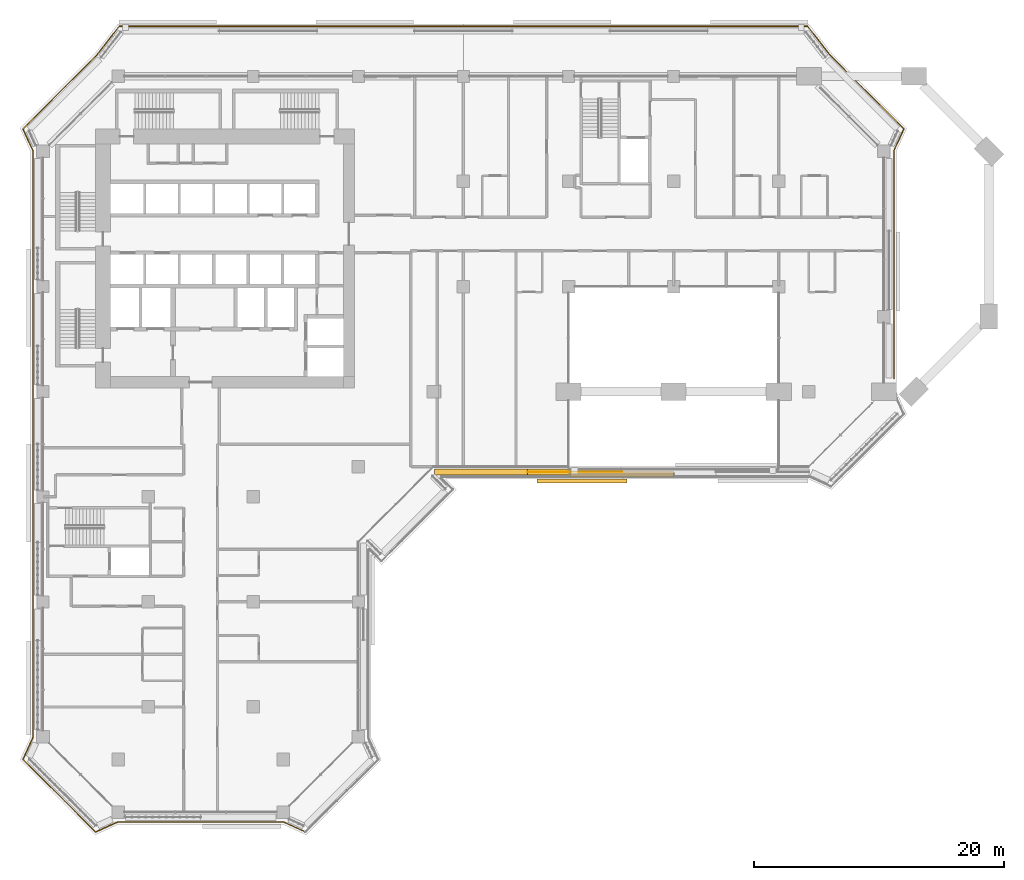
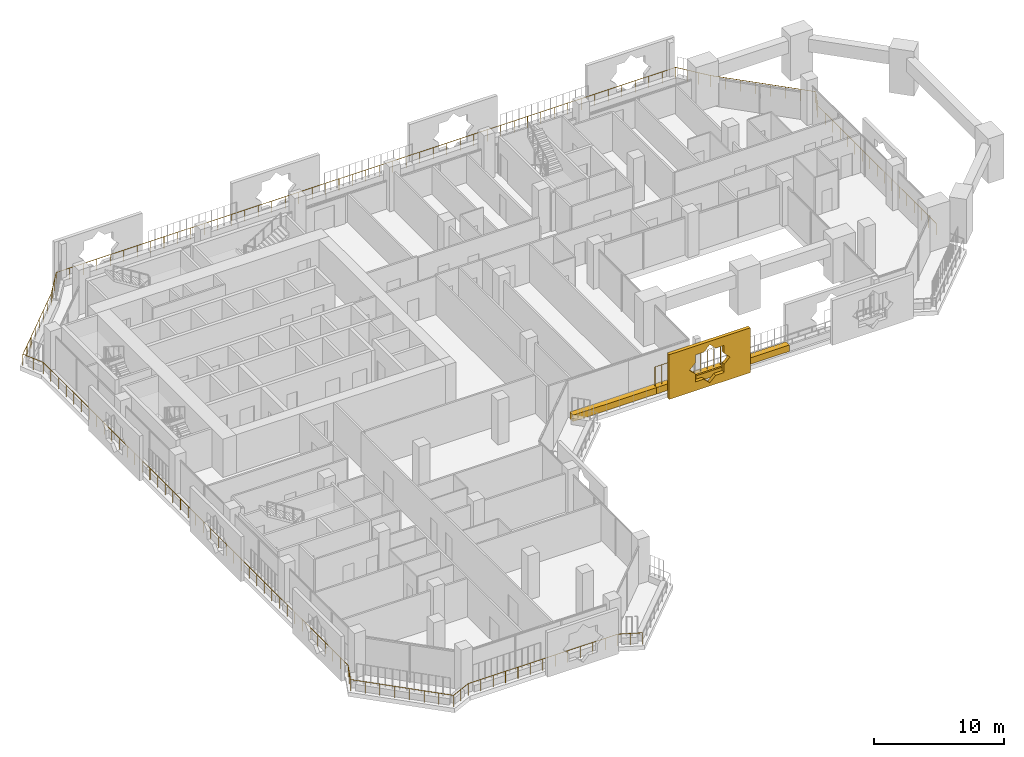
# One storey, part 20 of 24: 4 coverings, 2 railings.
"""IFC4 building model written with IfcOpenShell, lengths in metres."""

from ifc_helpers import new_model, si_unit, direction, frame, origin, origin_2d, place, context, subcontext, project, spatial, polyline, rectangle, circle, outline, extrude, material, material_profile, profile_set, type_object, element, save


model = new_model("IFC4")

# Units and contexts
model_context = context("Model", 3, precision=1e-05, world=origin(), true_north=direction((0.0, 1.0)))
body_context = subcontext(model_context, "Body", "Model", "MODEL_VIEW")
ifc_project = project(units=[si_unit("LENGTHUNIT", "METRE"), si_unit("AREAUNIT", "SQUARE_METRE"), si_unit("VOLUMEUNIT", "CUBIC_METRE"), si_unit("PLANEANGLEUNIT", "RADIAN"), si_unit("MASSUNIT", "GRAM", prefix="KILO")], contexts=[model_context])

# Site, building, storey
site_placement = place(None, origin())
site = spatial("IfcSite", under=ifc_project, at=site_placement, CompositionType="ELEMENT")
building_placement = place(site_placement, origin())
building = spatial("IfcBuilding", under=site, at=building_placement, Name="Kawkab Arch Medical Tower", CompositionType="ELEMENT")
storey_placement = place(building_placement, frame((0.0, 0.0, 162.60009765625)))
storey = spatial("IfcBuildingStorey", under=building, at=storey_placement, Name="L37", CompositionType="ELEMENT", Elevation=162.60009765625)

# Railing
ifc_material_1 = material(Name="Bronze anodised aluminium guard", Category="aluminium")
railing_type_1 = type_object("IfcRailingType", Name="Loggia and terrace guard 1100", PredefinedType="GUARDRAIL", material=ifc_material_1)
railing_1_placement = place(storey_placement, frame((20.9951171875, -60.39794921875, 0.0)))
element("IfcRailing", 1, at=railing_1_placement, inside=storey, type_object=railing_type_1, Name="Guard L37.LOG-01.2.1", PredefinedType="GUARDRAIL", context=body_context, shape_type="SweptSolid", body=[
    extrude(circle(Radius=0.02392578125, at=origin_2d()), frame((0.0, 0.0, 1.076171875), z_axis=(-0.910092688388, 0.414404752076, 0.0), x_axis=(-0.414404752076, -0.910092688388, 0.0)), (0.0, 0.0, 1.0), 1.92529296875),
    extrude(circle(Radius=0.02392578125, at=origin_2d()), frame((-1.752197265625, 0.7978515625, 1.076171875), z_axis=(-1.0, 0.0, 0.0), x_axis=(0.0, -1.0, 0.0)), (0.0, 0.0, 1.0), 13.285888671875),
    extrude(circle(Radius=0.02392578125, at=origin_2d()), frame((-15.0380859375, 0.7978515625, 1.076171875), z_axis=(-0.910070907914, -0.414452581809, 0.0), x_axis=(0.414452581809, -0.910070907914, 0.0)), (0.0, 0.0, 1.0), 1.925048828125),
    extrude(circle(Radius=0.02392578125, at=origin_2d()), frame((-16.7900390625, 0.0, 1.076171875), z_axis=(-0.707106781187, 0.707106781187, 0.0), x_axis=(-0.707106781187, -0.707106781187, 0.0)), (0.0, 0.0, 1.0), 8.20654296875),
    extrude(circle(Radius=0.02392578125, at=origin_2d()), frame((-22.593017578125, 5.802978515625, 1.076171875), z_axis=(0.414452581809, 0.910070907914, 0.0), x_axis=(-0.910070907914, 0.414452581809, 0.0)), (0.0, 0.0, 1.0), 1.925048828125),
    extrude(circle(Radius=0.02392578125, at=origin_2d()), frame((-21.795166015625, 7.554931640625, 1.076171875), z_axis=(0.0, 1.0, 0.0), x_axis=(-1.0, 0.0, 0.0)), (0.0, 0.0, 1.0), 46.885986328125),
    extrude(circle(Radius=0.02392578125, at=origin_2d()), frame((-21.795166015625, 54.44091796875, 1.076171875), z_axis=(-0.414452581809, 0.910070907914, 0.0), x_axis=(-0.910070907914, -0.414452581809, 0.0)), (0.0, 0.0, 1.0), 1.925048828125),
    extrude(circle(Radius=0.02392578125, at=origin_2d()), frame((-22.593017578125, 56.19287109375, 1.076171875), z_axis=(0.707092175918, 0.707121386154, 0.0), x_axis=(-0.707121386154, 0.707092175918, 0.0)), (0.0, 0.0, 1.0), 8.358154296875),
    extrude(circle(Radius=0.02392578125, at=origin_2d()), frame((-16.68310546875, 62.10302734375, 1.076171875), z_axis=(0.614144026922, 0.789193964876, 0.0), x_axis=(-0.789193964876, 0.614144026922, 0.0)), (0.0, 0.0, 1.0), 2.907958984375),
    extrude(circle(Radius=0.02392578125, at=origin_2d()), frame((-14.897216796875, 64.39794921875, 1.076171875), z_axis=(1.0, 0.0, 0.0), x_axis=(0.0, 1.0, 0.0)), (0.0, 0.0, 1.0), 55.004150390625),
    extrude(circle(Radius=0.02392578125, at=origin_2d()), frame((40.10693359375, 64.39794921875, 1.076171875), z_axis=(0.614144026922, -0.789193964876, 0.0), x_axis=(0.789193964876, 0.614144026922, 0.0)), (0.0, 0.0, 1.0), 2.907958984375),
    extrude(circle(Radius=0.02392578125, at=origin_2d()), frame((41.892822265625, 62.10302734375, 1.076171875), z_axis=(0.707106781187, -0.707106781187, 0.0), x_axis=(0.707106781187, 0.707106781187, 0.0)), (0.0, 0.0, 1.0), 8.358154296875),
    extrude(circle(Radius=0.02392578125, at=origin_2d()), frame((47.802978515625, 56.19287109375, 1.076171875), z_axis=(-0.414557610759, -0.910023069687, 0.0), x_axis=(0.910023069687, -0.414557610759, 0.0)), (0.0, 0.0, 1.0), 1.92529296875),
    extrude(circle(Radius=0.02392578125, at=origin_2d()), frame((47.0048828125, 54.44091796875, 1.076171875), z_axis=(0.0, -1.0, 0.0), x_axis=(1.0, 0.0, 0.0)), (0.0, 0.0, 1.0), 18.212890625),
    extrude(circle(Radius=0.02099609375, at=origin_2d()), origin(), (0.0, 0.0, 1.0), 1.052001953125),
    extrude(circle(Radius=0.02099609375, at=origin_2d()), frame((-0.8759765625, 0.39892578125, 0.0)), (0.0, 0.0, 1.0), 1.052001953125),
    extrude(circle(Radius=0.02099609375, at=origin_2d()), frame((-1.752197265625, 0.7978515625, 0.0)), (0.0, 0.0, 1.0), 1.052001953125),
    extrude(circle(Radius=0.02099609375, at=origin_2d()), frame((-2.859375, 0.7978515625, 0.0)), (0.0, 0.0, 1.0), 1.052001953125),
    extrude(circle(Radius=0.02099609375, at=origin_2d()), frame((-3.966552734375, 0.7978515625, 0.0)), (0.0, 0.0, 1.0), 1.052001953125),
    extrude(circle(Radius=0.02099609375, at=origin_2d()), frame((-5.07373046875, 0.7978515625, 0.0)), (0.0, 0.0, 1.0), 1.052001953125),
    extrude(circle(Radius=0.02099609375, at=origin_2d()), frame((-6.180908203125, 0.7978515625, 0.0)), (0.0, 0.0, 1.0), 1.052001953125),
    extrude(circle(Radius=0.02099609375, at=origin_2d()), frame((-7.2880859375, 0.7978515625, 0.0)), (0.0, 0.0, 1.0), 1.052001953125),
    extrude(circle(Radius=0.02099609375, at=origin_2d()), frame((-8.39501953125, 0.7978515625, 0.0)), (0.0, 0.0, 1.0), 1.052001953125),
    extrude(circle(Radius=0.02099609375, at=origin_2d()), frame((-9.502197265625, 0.7978515625, 0.0)), (0.0, 0.0, 1.0), 1.052001953125),
    extrude(circle(Radius=0.02099609375, at=origin_2d()), frame((-10.609375, 0.7978515625, 0.0)), (0.0, 0.0, 1.0), 1.052001953125),
    extrude(circle(Radius=0.02099609375, at=origin_2d()), frame((-11.716552734375, 0.7978515625, 0.0)), (0.0, 0.0, 1.0), 1.052001953125),
    extrude(circle(Radius=0.02099609375, at=origin_2d()), frame((-12.82373046875, 0.7978515625, 0.0)), (0.0, 0.0, 1.0), 1.052001953125),
    extrude(circle(Radius=0.02099609375, at=origin_2d()), frame((-13.930908203125, 0.7978515625, 0.0)), (0.0, 0.0, 1.0), 1.052001953125),
    extrude(circle(Radius=0.02099609375, at=origin_2d()), frame((-15.0380859375, 0.7978515625, 0.0)), (0.0, 0.0, 1.0), 1.052001953125),
    extrude(circle(Radius=0.02099609375, at=origin_2d()), frame((-15.9140625, 0.39892578125, 0.0)), (0.0, 0.0, 1.0), 1.052001953125),
    extrude(circle(Radius=0.02099609375, at=origin_2d()), frame((-16.7900390625, 0.0, 0.0)), (0.0, 0.0, 1.0), 1.052001953125),
    extrude(circle(Radius=0.02099609375, at=origin_2d()), frame((-17.619140625, 0.8291015625, 0.0)), (0.0, 0.0, 1.0), 1.052001953125),
    extrude(circle(Radius=0.02099609375, at=origin_2d()), frame((-18.447998046875, 1.657958984375, 0.0)), (0.0, 0.0, 1.0), 1.052001953125),
    extrude(circle(Radius=0.02099609375, at=origin_2d()), frame((-19.277099609375, 2.487060546875, 0.0)), (0.0, 0.0, 1.0), 1.052001953125),
    extrude(circle(Radius=0.02099609375, at=origin_2d()), frame((-20.10595703125, 3.31591796875, 0.0)), (0.0, 0.0, 1.0), 1.052001953125),
    extrude(circle(Radius=0.02099609375, at=origin_2d()), frame((-20.93505859375, 4.14501953125, 0.0)), (0.0, 0.0, 1.0), 1.052001953125),
    extrude(circle(Radius=0.02099609375, at=origin_2d()), frame((-21.763916015625, 4.973876953125, 0.0)), (0.0, 0.0, 1.0), 1.052001953125),
    extrude(circle(Radius=0.02099609375, at=origin_2d()), frame((-22.593017578125, 5.802978515625, 0.0)), (0.0, 0.0, 1.0), 1.052001953125),
    extrude(circle(Radius=0.02099609375, at=origin_2d()), frame((-22.194091796875, 6.678955078125, 0.0)), (0.0, 0.0, 1.0), 1.052001953125),
    extrude(circle(Radius=0.02099609375, at=origin_2d()), frame((-21.795166015625, 7.554931640625, 0.0)), (0.0, 0.0, 1.0), 1.052001953125),
    extrude(circle(Radius=0.02099609375, at=origin_2d()), frame((-21.795166015625, 8.72705078125, 0.0)), (0.0, 0.0, 1.0), 1.052001953125),
    extrude(circle(Radius=0.02099609375, at=origin_2d()), frame((-21.795166015625, 9.899169921875, 0.0)), (0.0, 0.0, 1.0), 1.052001953125),
    extrude(circle(Radius=0.02099609375, at=origin_2d()), frame((-21.795166015625, 11.0712890625, 0.0)), (0.0, 0.0, 1.0), 1.052001953125),
    extrude(circle(Radius=0.02099609375, at=origin_2d()), frame((-21.795166015625, 12.24365234375, 0.0)), (0.0, 0.0, 1.0), 1.052001953125),
    extrude(circle(Radius=0.02099609375, at=origin_2d()), frame((-21.795166015625, 13.415771484375, 0.0)), (0.0, 0.0, 1.0), 1.052001953125),
    extrude(circle(Radius=0.02099609375, at=origin_2d()), frame((-21.795166015625, 14.587890625, 0.0)), (0.0, 0.0, 1.0), 1.052001953125),
    extrude(circle(Radius=0.02099609375, at=origin_2d()), frame((-21.795166015625, 15.760009765625, 0.0)), (0.0, 0.0, 1.0), 1.052001953125),
    extrude(circle(Radius=0.02099609375, at=origin_2d()), frame((-21.795166015625, 16.93212890625, 0.0)), (0.0, 0.0, 1.0), 1.052001953125),
    extrude(circle(Radius=0.02099609375, at=origin_2d()), frame((-21.795166015625, 18.104248046875, 0.0)), (0.0, 0.0, 1.0), 1.052001953125),
    extrude(circle(Radius=0.02099609375, at=origin_2d()), frame((-21.795166015625, 19.2763671875, 0.0)), (0.0, 0.0, 1.0), 1.052001953125),
    extrude(circle(Radius=0.02099609375, at=origin_2d()), frame((-21.795166015625, 20.448486328125, 0.0)), (0.0, 0.0, 1.0), 1.052001953125),
    extrude(circle(Radius=0.02099609375, at=origin_2d()), frame((-21.795166015625, 21.62060546875, 0.0)), (0.0, 0.0, 1.0), 1.052001953125),
    extrude(circle(Radius=0.02099609375, at=origin_2d()), frame((-21.795166015625, 22.79296875, 0.0)), (0.0, 0.0, 1.0), 1.052001953125),
    extrude(circle(Radius=0.02099609375, at=origin_2d()), frame((-21.795166015625, 23.965087890625, 0.0)), (0.0, 0.0, 1.0), 1.052001953125),
    extrude(circle(Radius=0.02099609375, at=origin_2d()), frame((-21.795166015625, 25.13720703125, 0.0)), (0.0, 0.0, 1.0), 1.052001953125),
    extrude(circle(Radius=0.02099609375, at=origin_2d()), frame((-21.795166015625, 26.309326171875, 0.0)), (0.0, 0.0, 1.0), 1.052001953125),
    extrude(circle(Radius=0.02099609375, at=origin_2d()), frame((-21.795166015625, 27.4814453125, 0.0)), (0.0, 0.0, 1.0), 1.052001953125),
    extrude(circle(Radius=0.02099609375, at=origin_2d()), frame((-21.795166015625, 28.653564453125, 0.0)), (0.0, 0.0, 1.0), 1.052001953125),
    extrude(circle(Radius=0.02099609375, at=origin_2d()), frame((-21.795166015625, 29.82568359375, 0.0)), (0.0, 0.0, 1.0), 1.052001953125),
    extrude(circle(Radius=0.02099609375, at=origin_2d()), frame((-21.795166015625, 30.998046875, 0.0)), (0.0, 0.0, 1.0), 1.052001953125),
    extrude(circle(Radius=0.02099609375, at=origin_2d()), frame((-21.795166015625, 32.170166015625, 0.0)), (0.0, 0.0, 1.0), 1.052001953125),
    extrude(circle(Radius=0.02099609375, at=origin_2d()), frame((-21.795166015625, 33.34228515625, 0.0)), (0.0, 0.0, 1.0), 1.052001953125),
    extrude(circle(Radius=0.02099609375, at=origin_2d()), frame((-21.795166015625, 34.514404296875, 0.0)), (0.0, 0.0, 1.0), 1.052001953125),
    extrude(circle(Radius=0.02099609375, at=origin_2d()), frame((-21.795166015625, 35.6865234375, 0.0)), (0.0, 0.0, 1.0), 1.052001953125),
    extrude(circle(Radius=0.02099609375, at=origin_2d()), frame((-21.795166015625, 36.858642578125, 0.0)), (0.0, 0.0, 1.0), 1.052001953125),
    extrude(circle(Radius=0.02099609375, at=origin_2d()), frame((-21.795166015625, 38.03076171875, 0.0)), (0.0, 0.0, 1.0), 1.052001953125),
    extrude(circle(Radius=0.02099609375, at=origin_2d()), frame((-21.795166015625, 39.202880859375, 0.0)), (0.0, 0.0, 1.0), 1.052001953125),
    extrude(circle(Radius=0.02099609375, at=origin_2d()), frame((-21.795166015625, 40.375, 0.0)), (0.0, 0.0, 1.0), 1.052001953125),
    extrude(circle(Radius=0.02099609375, at=origin_2d()), frame((-21.795166015625, 41.54736328125, 0.0)), (0.0, 0.0, 1.0), 1.052001953125),
    extrude(circle(Radius=0.02099609375, at=origin_2d()), frame((-21.795166015625, 42.719482421875, 0.0)), (0.0, 0.0, 1.0), 1.052001953125),
    extrude(circle(Radius=0.02099609375, at=origin_2d()), frame((-21.795166015625, 43.8916015625, 0.0)), (0.0, 0.0, 1.0), 1.052001953125),
    extrude(circle(Radius=0.02099609375, at=origin_2d()), frame((-21.795166015625, 45.063720703125, 0.0)), (0.0, 0.0, 1.0), 1.052001953125),
    extrude(circle(Radius=0.02099609375, at=origin_2d()), frame((-21.795166015625, 46.23583984375, 0.0)), (0.0, 0.0, 1.0), 1.052001953125),
    extrude(circle(Radius=0.02099609375, at=origin_2d()), frame((-21.795166015625, 47.407958984375, 0.0)), (0.0, 0.0, 1.0), 1.052001953125),
    extrude(circle(Radius=0.02099609375, at=origin_2d()), frame((-21.795166015625, 48.580078125, 0.0)), (0.0, 0.0, 1.0), 1.052001953125),
    extrude(circle(Radius=0.02099609375, at=origin_2d()), frame((-21.795166015625, 49.75244140625, 0.0)), (0.0, 0.0, 1.0), 1.052001953125),
    extrude(circle(Radius=0.02099609375, at=origin_2d()), frame((-21.795166015625, 50.924560546875, 0.0)), (0.0, 0.0, 1.0), 1.052001953125),
    extrude(circle(Radius=0.02099609375, at=origin_2d()), frame((-21.795166015625, 52.0966796875, 0.0)), (0.0, 0.0, 1.0), 1.052001953125),
    extrude(circle(Radius=0.02099609375, at=origin_2d()), frame((-21.795166015625, 53.268798828125, 0.0)), (0.0, 0.0, 1.0), 1.052001953125),
    extrude(circle(Radius=0.02099609375, at=origin_2d()), frame((-21.795166015625, 54.44091796875, 0.0)), (0.0, 0.0, 1.0), 1.052001953125),
    extrude(circle(Radius=0.02099609375, at=origin_2d()), frame((-22.194091796875, 55.31689453125, 0.0)), (0.0, 0.0, 1.0), 1.052001953125),
    extrude(circle(Radius=0.02099609375, at=origin_2d()), frame((-22.593017578125, 56.19287109375, 0.0)), (0.0, 0.0, 1.0), 1.052001953125),
    extrude(circle(Radius=0.02099609375, at=origin_2d()), frame((-21.748779296875, 57.037109375, 0.0)), (0.0, 0.0, 1.0), 1.052001953125),
    extrude(circle(Radius=0.02099609375, at=origin_2d()), frame((-20.904541015625, 57.881591796875, 0.0)), (0.0, 0.0, 1.0), 1.052001953125),
    extrude(circle(Radius=0.02099609375, at=origin_2d()), frame((-20.060302734375, 58.725830078125, 0.0)), (0.0, 0.0, 1.0), 1.052001953125),
    extrude(circle(Radius=0.02099609375, at=origin_2d()), frame((-19.2158203125, 59.570068359375, 0.0)), (0.0, 0.0, 1.0), 1.052001953125),
    extrude(circle(Radius=0.02099609375, at=origin_2d()), frame((-18.37158203125, 60.414306640625, 0.0)), (0.0, 0.0, 1.0), 1.052001953125),
    extrude(circle(Radius=0.02099609375, at=origin_2d()), frame((-17.52734375, 61.2587890625, 0.0)), (0.0, 0.0, 1.0), 1.052001953125),
    extrude(circle(Radius=0.02099609375, at=origin_2d()), frame((-16.68310546875, 62.10302734375, 0.0)), (0.0, 0.0, 1.0), 1.052001953125),
    extrude(circle(Radius=0.02099609375, at=origin_2d()), frame((-16.087890625, 62.867919921875, 0.0)), (0.0, 0.0, 1.0), 1.052001953125),
    extrude(circle(Radius=0.02099609375, at=origin_2d()), frame((-15.492431640625, 63.633056640625, 0.0)), (0.0, 0.0, 1.0), 1.052001953125),
    extrude(circle(Radius=0.02099609375, at=origin_2d()), frame((-14.897216796875, 64.39794921875, 0.0)), (0.0, 0.0, 1.0), 1.052001953125),
    extrude(circle(Radius=0.02099609375, at=origin_2d()), frame((-13.701416015625, 64.39794921875, 0.0)), (0.0, 0.0, 1.0), 1.052001953125),
    extrude(circle(Radius=0.02099609375, at=origin_2d()), frame((-12.505615234375, 64.39794921875, 0.0)), (0.0, 0.0, 1.0), 1.052001953125),
    extrude(circle(Radius=0.02099609375, at=origin_2d()), frame((-11.31005859375, 64.39794921875, 0.0)), (0.0, 0.0, 1.0), 1.052001953125),
    extrude(circle(Radius=0.02099609375, at=origin_2d()), frame((-10.1142578125, 64.39794921875, 0.0)), (0.0, 0.0, 1.0), 1.052001953125),
    extrude(circle(Radius=0.02099609375, at=origin_2d()), frame((-8.91845703125, 64.39794921875, 0.0)), (0.0, 0.0, 1.0), 1.052001953125),
    extrude(circle(Radius=0.02099609375, at=origin_2d()), frame((-7.72265625, 64.39794921875, 0.0)), (0.0, 0.0, 1.0), 1.052001953125),
    extrude(circle(Radius=0.02099609375, at=origin_2d()), frame((-6.527099609375, 64.39794921875, 0.0)), (0.0, 0.0, 1.0), 1.052001953125),
    extrude(circle(Radius=0.02099609375, at=origin_2d()), frame((-5.331298828125, 64.39794921875, 0.0)), (0.0, 0.0, 1.0), 1.052001953125),
    extrude(circle(Radius=0.02099609375, at=origin_2d()), frame((-4.135498046875, 64.39794921875, 0.0)), (0.0, 0.0, 1.0), 1.052001953125),
    extrude(circle(Radius=0.02099609375, at=origin_2d()), frame((-2.939697265625, 64.39794921875, 0.0)), (0.0, 0.0, 1.0), 1.052001953125),
    extrude(circle(Radius=0.02099609375, at=origin_2d()), frame((-1.744140625, 64.39794921875, 0.0)), (0.0, 0.0, 1.0), 1.052001953125),
    extrude(circle(Radius=0.02099609375, at=origin_2d()), frame((-0.54833984375, 64.39794921875, 0.0)), (0.0, 0.0, 1.0), 1.052001953125),
    extrude(circle(Radius=0.02099609375, at=origin_2d()), frame((0.6474609375, 64.39794921875, 0.0)), (0.0, 0.0, 1.0), 1.052001953125),
    extrude(circle(Radius=0.02099609375, at=origin_2d()), frame((1.84326171875, 64.39794921875, 0.0)), (0.0, 0.0, 1.0), 1.052001953125),
    extrude(circle(Radius=0.02099609375, at=origin_2d()), frame((3.038818359375, 64.39794921875, 0.0)), (0.0, 0.0, 1.0), 1.052001953125),
    extrude(circle(Radius=0.02099609375, at=origin_2d()), frame((4.234619140625, 64.39794921875, 0.0)), (0.0, 0.0, 1.0), 1.052001953125),
    extrude(circle(Radius=0.02099609375, at=origin_2d()), frame((5.430419921875, 64.39794921875, 0.0)), (0.0, 0.0, 1.0), 1.052001953125),
    extrude(circle(Radius=0.02099609375, at=origin_2d()), frame((6.626220703125, 64.39794921875, 0.0)), (0.0, 0.0, 1.0), 1.052001953125),
    extrude(circle(Radius=0.02099609375, at=origin_2d()), frame((7.82177734375, 64.39794921875, 0.0)), (0.0, 0.0, 1.0), 1.052001953125),
    extrude(circle(Radius=0.02099609375, at=origin_2d()), frame((9.017578125, 64.39794921875, 0.0)), (0.0, 0.0, 1.0), 1.052001953125),
    extrude(circle(Radius=0.02099609375, at=origin_2d()), frame((10.21337890625, 64.39794921875, 0.0)), (0.0, 0.0, 1.0), 1.052001953125),
    extrude(circle(Radius=0.02099609375, at=origin_2d()), frame((11.4091796875, 64.39794921875, 0.0)), (0.0, 0.0, 1.0), 1.052001953125),
    extrude(circle(Radius=0.02099609375, at=origin_2d()), frame((12.60498046875, 64.39794921875, 0.0)), (0.0, 0.0, 1.0), 1.052001953125),
    extrude(circle(Radius=0.02099609375, at=origin_2d()), frame((13.800537109375, 64.39794921875, 0.0)), (0.0, 0.0, 1.0), 1.052001953125),
    extrude(circle(Radius=0.02099609375, at=origin_2d()), frame((14.996337890625, 64.39794921875, 0.0)), (0.0, 0.0, 1.0), 1.052001953125),
    extrude(circle(Radius=0.02099609375, at=origin_2d()), frame((16.192138671875, 64.39794921875, 0.0)), (0.0, 0.0, 1.0), 1.052001953125),
    extrude(circle(Radius=0.02099609375, at=origin_2d()), frame((17.387939453125, 64.39794921875, 0.0)), (0.0, 0.0, 1.0), 1.052001953125),
    extrude(circle(Radius=0.02099609375, at=origin_2d()), frame((18.58349609375, 64.39794921875, 0.0)), (0.0, 0.0, 1.0), 1.052001953125),
    extrude(circle(Radius=0.02099609375, at=origin_2d()), frame((19.779296875, 64.39794921875, 0.0)), (0.0, 0.0, 1.0), 1.052001953125),
    extrude(circle(Radius=0.02099609375, at=origin_2d()), frame((20.97509765625, 64.39794921875, 0.0)), (0.0, 0.0, 1.0), 1.052001953125),
    extrude(circle(Radius=0.02099609375, at=origin_2d()), frame((22.1708984375, 64.39794921875, 0.0)), (0.0, 0.0, 1.0), 1.052001953125),
    extrude(circle(Radius=0.02099609375, at=origin_2d()), frame((23.366455078125, 64.39794921875, 0.0)), (0.0, 0.0, 1.0), 1.052001953125),
    extrude(circle(Radius=0.02099609375, at=origin_2d()), frame((24.562255859375, 64.39794921875, 0.0)), (0.0, 0.0, 1.0), 1.052001953125),
    extrude(circle(Radius=0.02099609375, at=origin_2d()), frame((25.758056640625, 64.39794921875, 0.0)), (0.0, 0.0, 1.0), 1.052001953125),
    extrude(circle(Radius=0.02099609375, at=origin_2d()), frame((26.953857421875, 64.39794921875, 0.0)), (0.0, 0.0, 1.0), 1.052001953125),
    extrude(circle(Radius=0.02099609375, at=origin_2d()), frame((28.1494140625, 64.39794921875, 0.0)), (0.0, 0.0, 1.0), 1.052001953125),
    extrude(circle(Radius=0.02099609375, at=origin_2d()), frame((29.34521484375, 64.39794921875, 0.0)), (0.0, 0.0, 1.0), 1.052001953125),
    extrude(circle(Radius=0.02099609375, at=origin_2d()), frame((30.541015625, 64.39794921875, 0.0)), (0.0, 0.0, 1.0), 1.052001953125),
    extrude(circle(Radius=0.02099609375, at=origin_2d()), frame((31.73681640625, 64.39794921875, 0.0)), (0.0, 0.0, 1.0), 1.052001953125),
    extrude(circle(Radius=0.02099609375, at=origin_2d()), frame((32.932373046875, 64.39794921875, 0.0)), (0.0, 0.0, 1.0), 1.052001953125),
    extrude(circle(Radius=0.02099609375, at=origin_2d()), frame((34.128173828125, 64.39794921875, 0.0)), (0.0, 0.0, 1.0), 1.052001953125),
    extrude(circle(Radius=0.02099609375, at=origin_2d()), frame((35.323974609375, 64.39794921875, 0.0)), (0.0, 0.0, 1.0), 1.052001953125),
    extrude(circle(Radius=0.02099609375, at=origin_2d()), frame((36.519775390625, 64.39794921875, 0.0)), (0.0, 0.0, 1.0), 1.052001953125),
    extrude(circle(Radius=0.02099609375, at=origin_2d()), frame((37.71533203125, 64.39794921875, 0.0)), (0.0, 0.0, 1.0), 1.052001953125),
    extrude(circle(Radius=0.02099609375, at=origin_2d()), frame((38.9111328125, 64.39794921875, 0.0)), (0.0, 0.0, 1.0), 1.052001953125),
    extrude(circle(Radius=0.02099609375, at=origin_2d()), frame((40.10693359375, 64.39794921875, 0.0)), (0.0, 0.0, 1.0), 1.052001953125),
    extrude(circle(Radius=0.02099609375, at=origin_2d()), frame((40.7021484375, 63.633056640625, 0.0)), (0.0, 0.0, 1.0), 1.052001953125),
    extrude(circle(Radius=0.02099609375, at=origin_2d()), frame((41.297607421875, 62.867919921875, 0.0)), (0.0, 0.0, 1.0), 1.052001953125),
    extrude(circle(Radius=0.02099609375, at=origin_2d()), frame((41.892822265625, 62.10302734375, 0.0)), (0.0, 0.0, 1.0), 1.052001953125),
    extrude(circle(Radius=0.02099609375, at=origin_2d()), frame((42.737060546875, 61.2587890625, 0.0)), (0.0, 0.0, 1.0), 1.052001953125),
    extrude(circle(Radius=0.02099609375, at=origin_2d()), frame((43.58154296875, 60.414306640625, 0.0)), (0.0, 0.0, 1.0), 1.052001953125),
    extrude(circle(Radius=0.02099609375, at=origin_2d()), frame((44.42578125, 59.570068359375, 0.0)), (0.0, 0.0, 1.0), 1.052001953125),
    extrude(circle(Radius=0.02099609375, at=origin_2d()), frame((45.27001953125, 58.725830078125, 0.0)), (0.0, 0.0, 1.0), 1.052001953125),
    extrude(circle(Radius=0.02099609375, at=origin_2d()), frame((46.1142578125, 57.881591796875, 0.0)), (0.0, 0.0, 1.0), 1.052001953125),
    extrude(circle(Radius=0.02099609375, at=origin_2d()), frame((46.958740234375, 57.037109375, 0.0)), (0.0, 0.0, 1.0), 1.052001953125),
    extrude(circle(Radius=0.02099609375, at=origin_2d()), frame((47.802978515625, 56.19287109375, 0.0)), (0.0, 0.0, 1.0), 1.052001953125),
    extrude(circle(Radius=0.02099609375, at=origin_2d()), frame((47.40380859375, 55.31689453125, 0.0)), (0.0, 0.0, 1.0), 1.052001953125),
    extrude(circle(Radius=0.02099609375, at=origin_2d()), frame((47.0048828125, 54.44091796875, 0.0)), (0.0, 0.0, 1.0), 1.052001953125),
    extrude(circle(Radius=0.02099609375, at=origin_2d()), frame((47.0048828125, 53.302734375, 0.0)), (0.0, 0.0, 1.0), 1.052001953125),
    extrude(circle(Radius=0.02099609375, at=origin_2d()), frame((47.0048828125, 52.164306640625, 0.0)), (0.0, 0.0, 1.0), 1.052001953125),
    extrude(circle(Radius=0.02099609375, at=origin_2d()), frame((47.0048828125, 51.02587890625, 0.0)), (0.0, 0.0, 1.0), 1.052001953125),
    extrude(circle(Radius=0.02099609375, at=origin_2d()), frame((47.0048828125, 49.8876953125, 0.0)), (0.0, 0.0, 1.0), 1.052001953125),
    extrude(circle(Radius=0.02099609375, at=origin_2d()), frame((47.0048828125, 48.74951171875, 0.0)), (0.0, 0.0, 1.0), 1.052001953125),
    extrude(circle(Radius=0.02099609375, at=origin_2d()), frame((47.0048828125, 47.611083984375, 0.0)), (0.0, 0.0, 1.0), 1.052001953125),
    extrude(circle(Radius=0.02099609375, at=origin_2d()), frame((47.0048828125, 46.47265625, 0.0)), (0.0, 0.0, 1.0), 1.052001953125),
    extrude(circle(Radius=0.02099609375, at=origin_2d()), frame((47.0048828125, 45.33447265625, 0.0)), (0.0, 0.0, 1.0), 1.052001953125),
    extrude(circle(Radius=0.02099609375, at=origin_2d()), frame((47.0048828125, 44.1962890625, 0.0)), (0.0, 0.0, 1.0), 1.052001953125),
    extrude(circle(Radius=0.02099609375, at=origin_2d()), frame((47.0048828125, 43.057861328125, 0.0)), (0.0, 0.0, 1.0), 1.052001953125),
    extrude(circle(Radius=0.02099609375, at=origin_2d()), frame((47.0048828125, 41.91943359375, 0.0)), (0.0, 0.0, 1.0), 1.052001953125),
    extrude(circle(Radius=0.02099609375, at=origin_2d()), frame((47.0048828125, 40.78125, 0.0)), (0.0, 0.0, 1.0), 1.052001953125),
    extrude(circle(Radius=0.02099609375, at=origin_2d()), frame((47.0048828125, 39.64306640625, 0.0)), (0.0, 0.0, 1.0), 1.052001953125),
    extrude(circle(Radius=0.02099609375, at=origin_2d()), frame((47.0048828125, 38.504638671875, 0.0)), (0.0, 0.0, 1.0), 1.052001953125),
    extrude(circle(Radius=0.02099609375, at=origin_2d()), frame((47.0048828125, 37.3662109375, 0.0)), (0.0, 0.0, 1.0), 1.052001953125),
    extrude(circle(Radius=0.02099609375, at=origin_2d()), frame((47.0048828125, 36.22802734375, 0.0)), (0.0, 0.0, 1.0), 1.052001953125),
])

# Coverings
ifc_material_2 = material(Name="Bronze anodised aluminium mashrabiya panel, eight-point star pattern", Category="aluminium")
ifc_material_profile_1 = material_profile(ifc_material_2, outline(polyline([(-3.60009765625, -2.10009765625), (3.60009765625, -2.10009765625), (3.60009765625, 2.10009765625), (-3.60009765625, 2.10009765625), (-3.60009765625, -2.10009765625)]), holes=[polyline([(1.800048828125, 0.0), (1.272705078125, 0.527099609375), (1.272705078125, 1.272705078125), (0.527099609375, 1.272705078125), (0.0, 1.800048828125), (-0.527099609375, 1.272705078125), (-1.272705078125, 1.272705078125), (-1.272705078125, 0.527099609375), (-1.800048828125, 0.0), (-1.272705078125, -0.527099609375), (-1.272705078125, -1.272705078125), (-0.527099609375, -1.272705078125), (0.0, -1.800048828125), (0.527099609375, -1.272705078125), (1.272705078125, -1.272705078125), (1.272705078125, -0.527099609375), (1.800048828125, 0.0)])]), Name="Mashrabiya panel 7200x4200")
ifc_profile_set_1 = profile_set([ifc_material_profile_1], Name="Bronze anodised aluminium mashrabiya panel, eight-point star pattern")
covering_type_1 = type_object("IfcCoveringType", Name="Mashrabiya panel 7200 x 4200", PredefinedType="USERDEFINED", material=ifc_profile_set_1)
covering_1_placement = place(storey_placement, frame((43.06494140625, -32.199951171875, 1.699951171875), z_axis=(0.0, -1.0, 0.0), x_axis=(1.0, 0.0, 0.0)))
element("IfcCovering", 2, at=covering_1_placement, inside=storey, type_object=covering_type_1, Name="Mashrabiya panel L37.LOG-01-02.11", ObjectType="SCREEN", PredefinedType="USERDEFINED", context=body_context, shape_type="SweptSolid", body=[
    extrude(outline(polyline([(-3.60009765625, -2.10009765625), (3.60009765625, -2.10009765625), (3.60009765625, 2.10009765625), (-3.60009765625, 2.10009765625), (-3.60009765625, -2.10009765625)]), holes=[polyline([(1.800048828125, 0.0), (1.272705078125, 0.527099609375), (1.272705078125, 1.272705078125), (0.527099609375, 1.272705078125), (0.0, 1.800048828125), (-0.527099609375, 1.272705078125), (-1.272705078125, 1.272705078125), (-1.272705078125, 0.527099609375), (-1.800048828125, 0.0), (-1.272705078125, -0.527099609375), (-1.272705078125, -1.272705078125), (-0.527099609375, -1.272705078125), (0.0, -1.800048828125), (0.527099609375, -1.272705078125), (1.272705078125, -1.272705078125), (1.272705078125, -0.527099609375), (1.800048828125, 0.0)])]), origin(), (0.0, 0.0, 1.0), 0.300048828125),
])
ifc_material_3 = material(Name="Planting soil in a precast trough", Category="concrete")
ifc_material_profile_2 = material_profile(ifc_material_3, rectangle(XDim=0.5, YDim=0.60009765625, at=origin_2d()), Name="Trough 500x600")
ifc_profile_set_2 = profile_set([ifc_material_profile_2], Name="Planting soil in a precast trough")
covering_type_2 = type_object("IfcCoveringType", Name="Planter trough 500 x 600", PredefinedType="USERDEFINED", material=ifc_profile_set_2)
covering_2_placement = place(storey_placement, frame((42.1298828125, -31.780029296875, 0.2998046875), z_axis=(1.0, 0.0, 0.0), x_axis=(0.0, 1.0, 0.0)))
element("IfcCovering", 3, at=covering_2_placement, inside=storey, type_object=covering_type_2, Name="Planter L37.LOG-01-01.1", ObjectType="PLANTER", PredefinedType="USERDEFINED", context=body_context, shape_type="SweptSolid", body=[
    extrude(rectangle(XDim=0.5, YDim=0.60009765625, at=origin_2d()), origin(), (0.0, 0.0, 1.0), 8.27001953125),
])
covering_3_placement = place(storey_placement, frame((46.2548828125, -31.6201171875, 0.2998046875), z_axis=(-1.0, 0.0, 0.0), x_axis=(0.0, -1.0, 0.0)))
element("IfcCovering", 4, at=covering_3_placement, inside=storey, type_object=covering_type_2, Name="Planter L37.LOG-01-02.37", ObjectType="PLANTER", PredefinedType="USERDEFINED", context=body_context, shape_type="SweptSolid", body=[
    extrude(rectangle(XDim=0.5, YDim=0.60009765625, at=origin_2d()), origin(), (0.0, 0.0, 1.0), 7.534912109375),
])
covering_4_placement = place(storey_placement, frame((38.719970703125, -31.6201171875, 0.2998046875), z_axis=(-1.0, 0.0, 0.0), x_axis=(0.0, -1.0, 0.0)))
element("IfcCovering", 5, at=covering_4_placement, inside=storey, type_object=covering_type_2, Name="Planter L37.LOG-01-02.38", ObjectType="PLANTER", PredefinedType="USERDEFINED", context=body_context, shape_type="SweptSolid", body=[
    extrude(rectangle(XDim=0.5, YDim=0.60009765625, at=origin_2d()), origin(), (0.0, 0.0, 1.0), 7.43505859375),
])

# Railing
ifc_material_4 = material(Name="Bronze anodised aluminium trellis for climbing plants", Category="aluminium")
railing_type_2 = type_object("IfcRailingType", Name="Planting trellis 2400", PredefinedType="USERDEFINED", material=ifc_material_4)
railing_2_placement = place(storey_placement, frame((46.2548828125, -31.6201171875, 0.0)))
element("IfcRailing", 6, at=railing_2_placement, inside=storey, type_object=railing_type_2, Name="Planting trellis L37.LOG-01-02.37", ObjectType="TRELLIS", PredefinedType="USERDEFINED", context=body_context, shape_type="SweptSolid", body=[
    extrude(circle(Radius=0.01513671875, at=origin_2d()), frame((0.0, 0.0, 2.384765625), z_axis=(-1.0, 0.0, 0.0), x_axis=(0.0, -1.0, 0.0)), (0.0, 0.0, 1.0), 7.534912109375),
    extrude(circle(Radius=0.030029296875, at=origin_2d()), origin(), (0.0, 0.0, 1.0), 2.369873046875),
    extrude(circle(Radius=0.030029296875, at=origin_2d()), frame((-0.57958984375, 0.0, 0.0)), (0.0, 0.0, 1.0), 2.369873046875),
    extrude(circle(Radius=0.030029296875, at=origin_2d()), frame((-1.1591796875, 0.0, 0.0)), (0.0, 0.0, 1.0), 2.369873046875),
    extrude(circle(Radius=0.030029296875, at=origin_2d()), frame((-1.73876953125, 0.0, 0.0)), (0.0, 0.0, 1.0), 2.369873046875),
    extrude(circle(Radius=0.030029296875, at=origin_2d()), frame((-2.318359375, 0.0, 0.0)), (0.0, 0.0, 1.0), 2.369873046875),
    extrude(circle(Radius=0.030029296875, at=origin_2d()), frame((-2.89794921875, 0.0, 0.0)), (0.0, 0.0, 1.0), 2.369873046875),
    extrude(circle(Radius=0.030029296875, at=origin_2d()), frame((-3.4775390625, 0.0, 0.0)), (0.0, 0.0, 1.0), 2.369873046875),
    extrude(circle(Radius=0.030029296875, at=origin_2d()), frame((-4.057373046875, 0.0, 0.0)), (0.0, 0.0, 1.0), 2.369873046875),
    extrude(circle(Radius=0.030029296875, at=origin_2d()), frame((-4.636962890625, 0.0, 0.0)), (0.0, 0.0, 1.0), 2.369873046875),
    extrude(circle(Radius=0.030029296875, at=origin_2d()), frame((-5.216552734375, 0.0, 0.0)), (0.0, 0.0, 1.0), 2.369873046875),
    extrude(circle(Radius=0.030029296875, at=origin_2d()), frame((-5.796142578125, 0.0, 0.0)), (0.0, 0.0, 1.0), 2.369873046875),
    extrude(circle(Radius=0.030029296875, at=origin_2d()), frame((-6.375732421875, 0.0, 0.0)), (0.0, 0.0, 1.0), 2.369873046875),
    extrude(circle(Radius=0.030029296875, at=origin_2d()), frame((-6.955322265625, 0.0, 0.0)), (0.0, 0.0, 1.0), 2.369873046875),
    extrude(circle(Radius=0.030029296875, at=origin_2d()), frame((-7.534912109375, 0.0, 0.0)), (0.0, 0.0, 1.0), 2.369873046875),
])

save(model, "model.ifc")
